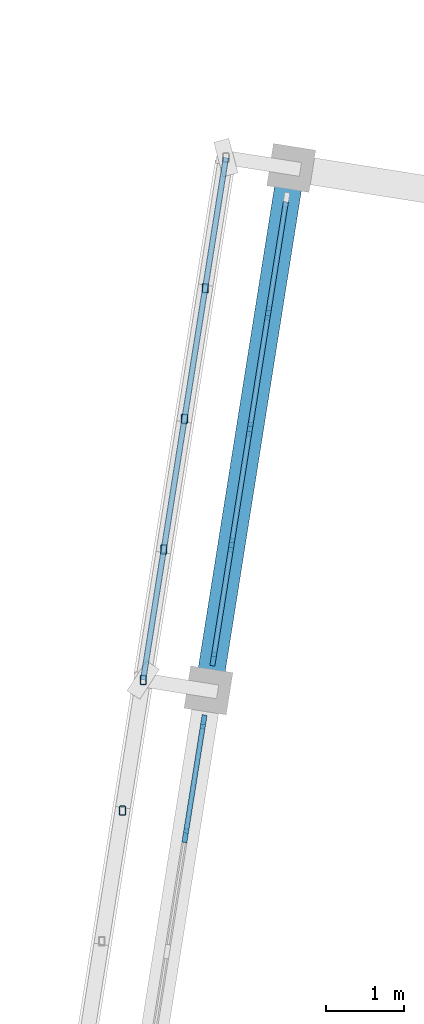
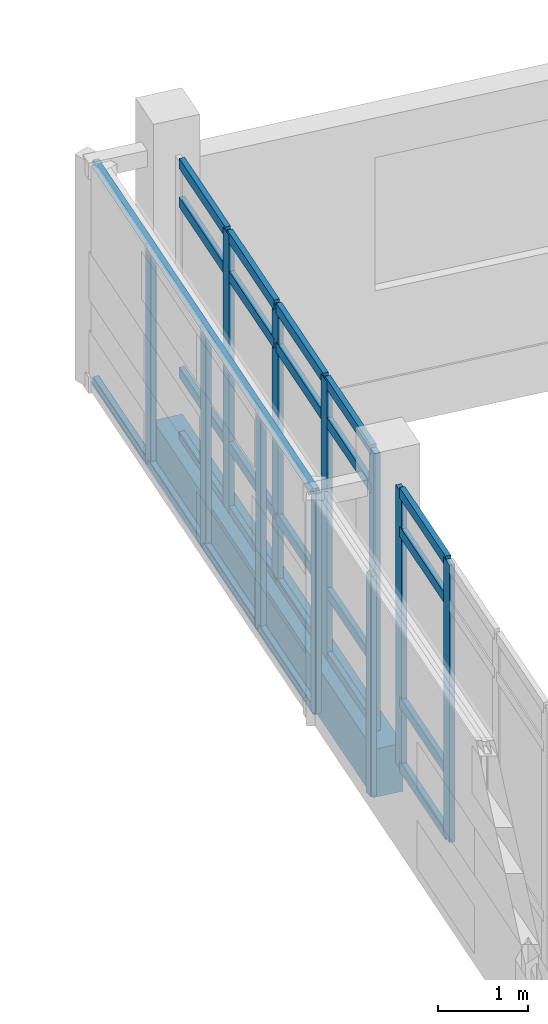
# One storey, part 59 of 137: 33 members, 1 beam, 2 elements without a shape of their own.
"""IFC4 building model written with IfcOpenShell, lengths in metres."""

from ifc_helpers import new_model, si_unit, direction, frame, origin, origin_2d, place, context, subcontext, project, spatial, rectangle, hollow_rectangle, extrude, material, material_profile, profile_set, type_object, element, aggregate, save


model = new_model("IFC4")

# Units and contexts
model_context = context("Model", 3, precision=1e-05, world=origin(), true_north=direction((0.0, 1.0)))
body_context = subcontext(model_context, "Body", "Model", "MODEL_VIEW")
ifc_project = project(units=[si_unit("LENGTHUNIT", "METRE"), si_unit("AREAUNIT", "SQUARE_METRE"), si_unit("VOLUMEUNIT", "CUBIC_METRE"), si_unit("PLANEANGLEUNIT", "RADIAN"), si_unit("MASSUNIT", "GRAM", prefix="KILO")], contexts=[model_context])

# Site, building, storey
site_placement = place(None, origin())
site = spatial("IfcSite", under=ifc_project, at=site_placement, CompositionType="ELEMENT")
building_placement = place(site_placement, origin())
building = spatial("IfcBuilding", under=site, at=building_placement, Name="Cinderway Yard Community Centre", CompositionType="ELEMENT")
storey_placement = place(building_placement, frame((0.0, 0.0, 4.800048828125)))
storey = spatial("IfcBuildingStorey", under=building, at=storey_placement, Name="L01", CompositionType="ELEMENT", Elevation=4.800048828125)

# Curtain wall, members
ifc_material_1 = material(Name="Aluminium 6063-T6", Category="aluminium")
curtain_wall_type = type_object("IfcCurtainWallType", Name="ENV-CW-TYPE-14", PredefinedType="USERDEFINED", material=ifc_material_1)
curtain_wall_1_placement = place(storey_placement, origin())
curtain_wall_1 = element("IfcCurtainWall", 1, at=curtain_wall_1_placement, inside=storey, type_object=curtain_wall_type, Name="Sports Hall Courtyard Curtain Wall ENV-CW-L01-HS-0055", ObjectType="GLAZED CURTAIN WALL", PredefinedType="USERDEFINED")
ifc_material_profile_1 = material_profile(ifc_material_1, rectangle(XDim=0.06494140625, YDim=0.179931640625, at=origin_2d()), Name="Aluminium 6063-T6")
ifc_profile_set_1 = profile_set([ifc_material_profile_1], Name="Aluminium 6063-T6")
member_type_1 = type_object("IfcMemberType", Name="ENV-CW-MULL-180", PredefinedType="MULLION", material=ifc_profile_set_1)
member_1_placement = place(storey_placement, frame((123.0234375, 69.714599609375, 0.0), z_axis=(0.0, 0.0, 1.0), x_axis=(-0.987660740525, 0.156608625643, 0.0)))
member_1 = element("IfcMember", 2, at=member_1_placement, type_object=member_type_1, Name="CW-14 mullion 4", PredefinedType="MULLION", context=body_context, shape_type="SweptSolid", body=[
    extrude(rectangle(XDim=0.06494140625, YDim=0.179931640625, at=origin_2d()), origin(), (0.0, 0.0, 1.0), 3.75),
])
member_2_placement = place(storey_placement, frame((123.25537109375, 71.17626953125, 0.0), z_axis=(0.0, 0.0, 1.0), x_axis=(-0.987660740525, 0.156608625643, 0.0)))
member_2 = element("IfcMember", 3, at=member_2_placement, type_object=member_type_1, Name="CW-14 mullion 5", PredefinedType="MULLION", context=body_context, shape_type="SweptSolid", body=[
    extrude(rectangle(XDim=0.06494140625, YDim=0.179931640625, at=origin_2d()), origin(), (0.0, 0.0, 1.0), 3.75),
])

curtain_wall_2_placement = place(storey_placement, origin())
curtain_wall_2 = element("IfcCurtainWall", 4, at=curtain_wall_2_placement, inside=storey, type_object=curtain_wall_type, Name="Sports Hall Courtyard Curtain Wall ENV-CW-L01-HS-0056", ObjectType="GLAZED CURTAIN WALL", PredefinedType="USERDEFINED")
member_3_placement = place(storey_placement, frame((123.3828125, 71.985595703125, 0.0), z_axis=(0.0, 0.0, 1.0), x_axis=(-0.987664799809, 0.156583023401, 0.0)))
member_3 = element("IfcMember", 5, at=member_3_placement, type_object=member_type_1, Name="CW-14 mullion 1", PredefinedType="MULLION", context=body_context, shape_type="SweptSolid", body=[
    extrude(rectangle(XDim=0.06494140625, YDim=0.179931640625, at=origin_2d()), origin(), (0.0, 0.0, 1.0), 3.75),
])
member_4_placement = place(storey_placement, frame((123.614501953125, 73.44775390625, 0.0), z_axis=(0.0, 0.0, 1.0), x_axis=(-0.987664799809, 0.156583023401, 0.0)))
member_4 = element("IfcMember", 6, at=member_4_placement, type_object=member_type_1, Name="CW-14 mullion 2", PredefinedType="MULLION", context=body_context, shape_type="SweptSolid", body=[
    extrude(rectangle(XDim=0.06494140625, YDim=0.179931640625, at=origin_2d()), origin(), (0.0, 0.0, 1.0), 3.75),
])
member_5_placement = place(storey_placement, frame((123.85107421875, 74.939453125, 0.0), z_axis=(0.0, 0.0, 1.0), x_axis=(-0.987664799809, 0.156583023401, 0.0)))
member_5 = element("IfcMember", 7, at=member_5_placement, type_object=member_type_1, Name="CW-14 mullion 3", PredefinedType="MULLION", context=body_context, shape_type="SweptSolid", body=[
    extrude(rectangle(XDim=0.06494140625, YDim=0.179931640625, at=origin_2d()), origin(), (0.0, 0.0, 1.0), 3.75),
])
member_6_placement = place(storey_placement, frame((124.08740234375, 76.43115234375, 0.0), z_axis=(0.0, 0.0, 1.0), x_axis=(-0.987664799809, 0.156583023401, 0.0)))
member_6 = element("IfcMember", 8, at=member_6_placement, type_object=member_type_1, Name="CW-14 mullion 4", PredefinedType="MULLION", context=body_context, shape_type="SweptSolid", body=[
    extrude(rectangle(XDim=0.06494140625, YDim=0.179931640625, at=origin_2d()), origin(), (0.0, 0.0, 1.0), 3.75),
])

# Member
ifc_material_profile_2 = material_profile(ifc_material_1, rectangle(XDim=0.06494140625, YDim=0.139892578125, at=origin_2d()), Name="Aluminium 6063-T6")
ifc_profile_set_2 = profile_set([ifc_material_profile_2], Name="Aluminium 6063-T6")
member_type_2 = type_object("IfcMemberType", Name="ENV-CW-TRAN-140", PredefinedType="USERDEFINED", material=ifc_profile_set_2)
member_7_placement = place(storey_placement, frame((123.0283203125, 69.744140625, 0.030029296875), z_axis=(0.156448115308, 0.987686178508, 0.0), x_axis=(-0.987686178508, 0.156448115308, 0.0)))
member_7 = element("IfcMember", 9, at=member_7_placement, type_object=member_type_2, Name="CW-14 transom 4.1", ObjectType="TRANSOM", PredefinedType="USERDEFINED", context=body_context, shape_type="SweptSolid", body=[
    extrude(rectangle(XDim=0.06494140625, YDim=0.139892578125, at=origin_2d()), origin(), (0.0, 0.0, 1.0), 1.420166015625),
])

member_8_placement = place(storey_placement, frame((123.0283203125, 69.744140625, 0.89990234375), z_axis=(0.156448115308, 0.987686178508, 0.0), x_axis=(-0.987686178508, 0.156448115308, 0.0)))
member_8 = element("IfcMember", 10, at=member_8_placement, type_object=member_type_2, Name="CW-14 transom 4.2", ObjectType="TRANSOM", PredefinedType="USERDEFINED", context=body_context, shape_type="SweptSolid", body=[
    extrude(rectangle(XDim=0.06494140625, YDim=0.139892578125, at=origin_2d()), origin(), (0.0, 0.0, 1.0), 1.420166015625),
])

member_9_placement = place(storey_placement, frame((123.0283203125, 69.744140625, 3.199951171875), z_axis=(0.156448115308, 0.987686178508, 0.0), x_axis=(-0.987686178508, 0.156448115308, 0.0)))
member_9 = element("IfcMember", 11, at=member_9_placement, type_object=member_type_2, Name="CW-14 transom 4.3", ObjectType="TRANSOM", PredefinedType="USERDEFINED", context=body_context, shape_type="SweptSolid", body=[
    extrude(rectangle(XDim=0.06494140625, YDim=0.139892578125, at=origin_2d()), origin(), (0.0, 0.0, 1.0), 1.420166015625),
])

member_10_placement = place(storey_placement, frame((123.0283203125, 69.744140625, 3.719970703125), z_axis=(0.156448115308, 0.987686178508, 0.0), x_axis=(-0.987686178508, 0.156448115308, 0.0)))
member_10 = element("IfcMember", 12, at=member_10_placement, type_object=member_type_2, Name="CW-14 transom 4.4", ObjectType="TRANSOM", PredefinedType="USERDEFINED", context=body_context, shape_type="SweptSolid", body=[
    extrude(rectangle(XDim=0.06494140625, YDim=0.139892578125, at=origin_2d()), origin(), (0.0, 0.0, 1.0), 1.420166015625),
])

aggregate(curtain_wall_1, [member_1, member_2, member_7, member_8, member_9, member_10])

member_11_placement = place(storey_placement, frame((123.387451171875, 72.015380859375, 0.030029296875), z_axis=(0.1565892335, 0.987663815249, 0.0), x_axis=(-0.987663815249, 0.1565892335, 0.0)))
member_11 = element("IfcMember", 13, at=member_11_placement, type_object=member_type_2, Name="CW-14 transom 1.1", ObjectType="TRANSOM", PredefinedType="USERDEFINED", context=body_context, shape_type="SweptSolid", body=[
    extrude(rectangle(XDim=0.06494140625, YDim=0.139892578125, at=origin_2d()), origin(), (0.0, 0.0, 1.0), 1.42041015625),
])

member_12_placement = place(storey_placement, frame((123.387451171875, 72.015380859375, 0.89990234375), z_axis=(0.1565892335, 0.987663815249, 0.0), x_axis=(-0.987663815249, 0.1565892335, 0.0)))
member_12 = element("IfcMember", 14, at=member_12_placement, type_object=member_type_2, Name="CW-14 transom 1.2", ObjectType="TRANSOM", PredefinedType="USERDEFINED", context=body_context, shape_type="SweptSolid", body=[
    extrude(rectangle(XDim=0.06494140625, YDim=0.139892578125, at=origin_2d()), origin(), (0.0, 0.0, 1.0), 1.42041015625),
])

member_13_placement = place(storey_placement, frame((123.387451171875, 72.015380859375, 3.199951171875), z_axis=(0.1565892335, 0.987663815249, 0.0), x_axis=(-0.987663815249, 0.1565892335, 0.0)))
member_13 = element("IfcMember", 15, at=member_13_placement, type_object=member_type_2, Name="CW-14 transom 1.3", ObjectType="TRANSOM", PredefinedType="USERDEFINED", context=body_context, shape_type="SweptSolid", body=[
    extrude(rectangle(XDim=0.06494140625, YDim=0.139892578125, at=origin_2d()), origin(), (0.0, 0.0, 1.0), 1.42041015625),
])

member_14_placement = place(storey_placement, frame((123.387451171875, 72.015380859375, 3.719970703125), z_axis=(0.1565892335, 0.987663815249, 0.0), x_axis=(-0.987663815249, 0.1565892335, 0.0)))
member_14 = element("IfcMember", 16, at=member_14_placement, type_object=member_type_2, Name="CW-14 transom 1.4", ObjectType="TRANSOM", PredefinedType="USERDEFINED", context=body_context, shape_type="SweptSolid", body=[
    extrude(rectangle(XDim=0.06494140625, YDim=0.139892578125, at=origin_2d()), origin(), (0.0, 0.0, 1.0), 1.42041015625),
])

member_15_placement = place(storey_placement, frame((123.619140625, 73.477294921875, 0.030029296875), z_axis=(0.156532999021, 0.987672729307, 0.0), x_axis=(-0.987672729307, 0.156532999021, 0.0)))
member_15 = element("IfcMember", 17, at=member_15_placement, type_object=member_type_2, Name="CW-14 transom 2.1", ObjectType="TRANSOM", PredefinedType="USERDEFINED", context=body_context, shape_type="SweptSolid", body=[
    extrude(rectangle(XDim=0.06494140625, YDim=0.139892578125, at=origin_2d()), origin(), (0.0, 0.0, 1.0), 1.450439453125),
])

member_16_placement = place(storey_placement, frame((123.619140625, 73.477294921875, 0.89990234375), z_axis=(0.156532999021, 0.987672729307, 0.0), x_axis=(-0.987672729307, 0.156532999021, 0.0)))
member_16 = element("IfcMember", 18, at=member_16_placement, type_object=member_type_2, Name="CW-14 transom 2.2", ObjectType="TRANSOM", PredefinedType="USERDEFINED", context=body_context, shape_type="SweptSolid", body=[
    extrude(rectangle(XDim=0.06494140625, YDim=0.139892578125, at=origin_2d()), origin(), (0.0, 0.0, 1.0), 1.450439453125),
])

member_17_placement = place(storey_placement, frame((123.619140625, 73.477294921875, 3.199951171875), z_axis=(0.156532999021, 0.987672729307, 0.0), x_axis=(-0.987672729307, 0.156532999021, 0.0)))
member_17 = element("IfcMember", 19, at=member_17_placement, type_object=member_type_2, Name="CW-14 transom 2.3", ObjectType="TRANSOM", PredefinedType="USERDEFINED", context=body_context, shape_type="SweptSolid", body=[
    extrude(rectangle(XDim=0.06494140625, YDim=0.139892578125, at=origin_2d()), origin(), (0.0, 0.0, 1.0), 1.450439453125),
])

member_18_placement = place(storey_placement, frame((123.619140625, 73.477294921875, 3.719970703125), z_axis=(0.156532999021, 0.987672729307, 0.0), x_axis=(-0.987672729307, 0.156532999021, 0.0)))
member_18 = element("IfcMember", 20, at=member_18_placement, type_object=member_type_2, Name="CW-14 transom 2.4", ObjectType="TRANSOM", PredefinedType="USERDEFINED", context=body_context, shape_type="SweptSolid", body=[
    extrude(rectangle(XDim=0.06494140625, YDim=0.139892578125, at=origin_2d()), origin(), (0.0, 0.0, 1.0), 1.450439453125),
])

member_19_placement = place(storey_placement, frame((123.855712890625, 74.96923828125, 0.030029296875), z_axis=(0.156559025368, 0.987668604126, 0.0), x_axis=(-0.987668604126, 0.156559025368, 0.0)))
member_19 = element("IfcMember", 21, at=member_19_placement, type_object=member_type_2, Name="CW-14 transom 3.1", ObjectType="TRANSOM", PredefinedType="USERDEFINED", context=body_context, shape_type="SweptSolid", body=[
    extrude(rectangle(XDim=0.06494140625, YDim=0.139892578125, at=origin_2d()), origin(), (0.0, 0.0, 1.0), 1.4501953125),
])

member_20_placement = place(storey_placement, frame((123.855712890625, 74.96923828125, 0.89990234375), z_axis=(0.156559025368, 0.987668604126, 0.0), x_axis=(-0.987668604126, 0.156559025368, 0.0)))
member_20 = element("IfcMember", 22, at=member_20_placement, type_object=member_type_2, Name="CW-14 transom 3.2", ObjectType="TRANSOM", PredefinedType="USERDEFINED", context=body_context, shape_type="SweptSolid", body=[
    extrude(rectangle(XDim=0.06494140625, YDim=0.139892578125, at=origin_2d()), origin(), (0.0, 0.0, 1.0), 1.4501953125),
])

member_21_placement = place(storey_placement, frame((123.855712890625, 74.96923828125, 3.199951171875), z_axis=(0.156559025368, 0.987668604126, 0.0), x_axis=(-0.987668604126, 0.156559025368, 0.0)))
member_21 = element("IfcMember", 23, at=member_21_placement, type_object=member_type_2, Name="CW-14 transom 3.3", ObjectType="TRANSOM", PredefinedType="USERDEFINED", context=body_context, shape_type="SweptSolid", body=[
    extrude(rectangle(XDim=0.06494140625, YDim=0.139892578125, at=origin_2d()), origin(), (0.0, 0.0, 1.0), 1.4501953125),
])

member_22_placement = place(storey_placement, frame((123.855712890625, 74.96923828125, 3.719970703125), z_axis=(0.156559025368, 0.987668604126, 0.0), x_axis=(-0.987668604126, 0.156559025368, 0.0)))
member_22 = element("IfcMember", 24, at=member_22_placement, type_object=member_type_2, Name="CW-14 transom 3.4", ObjectType="TRANSOM", PredefinedType="USERDEFINED", context=body_context, shape_type="SweptSolid", body=[
    extrude(rectangle(XDim=0.06494140625, YDim=0.139892578125, at=origin_2d()), origin(), (0.0, 0.0, 1.0), 1.4501953125),
])

member_23_placement = place(storey_placement, frame((124.09228515625, 76.4609375, 0.030029296875), z_axis=(0.1565892335, 0.987663815249, 0.0), x_axis=(-0.987663815249, 0.1565892335, 0.0)))
member_23 = element("IfcMember", 25, at=member_23_placement, type_object=member_type_2, Name="CW-14 transom 4.1", ObjectType="TRANSOM", PredefinedType="USERDEFINED", context=body_context, shape_type="SweptSolid", body=[
    extrude(rectangle(XDim=0.06494140625, YDim=0.139892578125, at=origin_2d()), origin(), (0.0, 0.0, 1.0), 1.42041015625),
])

member_24_placement = place(storey_placement, frame((124.09228515625, 76.4609375, 0.89990234375), z_axis=(0.1565892335, 0.987663815249, 0.0), x_axis=(-0.987663815249, 0.1565892335, 0.0)))
member_24 = element("IfcMember", 26, at=member_24_placement, type_object=member_type_2, Name="CW-14 transom 4.2", ObjectType="TRANSOM", PredefinedType="USERDEFINED", context=body_context, shape_type="SweptSolid", body=[
    extrude(rectangle(XDim=0.06494140625, YDim=0.139892578125, at=origin_2d()), origin(), (0.0, 0.0, 1.0), 1.42041015625),
])

member_25_placement = place(storey_placement, frame((124.09228515625, 76.4609375, 3.199951171875), z_axis=(0.1565892335, 0.987663815249, 0.0), x_axis=(-0.987663815249, 0.1565892335, 0.0)))
member_25 = element("IfcMember", 27, at=member_25_placement, type_object=member_type_2, Name="CW-14 transom 4.3", ObjectType="TRANSOM", PredefinedType="USERDEFINED", context=body_context, shape_type="SweptSolid", body=[
    extrude(rectangle(XDim=0.06494140625, YDim=0.139892578125, at=origin_2d()), origin(), (0.0, 0.0, 1.0), 1.42041015625),
])

member_26_placement = place(storey_placement, frame((124.09228515625, 76.4609375, 3.719970703125), z_axis=(0.1565892335, 0.987663815249, 0.0), x_axis=(-0.987663815249, 0.1565892335, 0.0)))
member_26 = element("IfcMember", 28, at=member_26_placement, type_object=member_type_2, Name="CW-14 transom 4.4", ObjectType="TRANSOM", PredefinedType="USERDEFINED", context=body_context, shape_type="SweptSolid", body=[
    extrude(rectangle(XDim=0.06494140625, YDim=0.139892578125, at=origin_2d()), origin(), (0.0, 0.0, 1.0), 1.42041015625),
])

aggregate(curtain_wall_2, [member_3, member_4, member_5, member_6, member_11, member_12, member_13, member_14, member_15, member_16, member_17, member_18, member_19, member_20, member_21, member_22, member_23, member_24, member_25, member_26])

# Members
ifc_material_2 = material(Name="Steel S355", Category="steel")
ifc_material_profile_3 = material_profile(ifc_material_2, hollow_rectangle(XDim=0.080078125, YDim=0.1201171875, WallThickness=0.00634765625, InnerFilletRadius=0.00634765625, OuterFilletRadius=0.0126953125, at=origin_2d()), Name="Steel S355")
ifc_profile_set_3 = profile_set([ifc_material_profile_3], Name="Steel S355")
member_type_3 = type_object("IfcMemberType", Name="ENV-MEM-SCREEN-RAIL-120", PredefinedType="STRINGER", material=ifc_profile_set_3)
for number, where, z_axis, x_axis, name in (
    (29, (122.212890625, 70.034912109375, 0.68994140625), (0.0, 0.0, 1.0), (1.0, 0.0, 0.0), "Screen vertical mullion 1001"),
    (30, (122.47900390625, 71.714111328125, 0.68994140625), (0.0, 0.0, 1.0), (1.0, 0.0, 0.0), "Screen vertical mullion 1002"),
):
    element("IfcMember", number, at=place(storey_placement, frame(where, z_axis=z_axis, x_axis=x_axis)), inside=storey, type_object=member_type_3, Name=name, PredefinedType="STRINGER", context=body_context, shape_type="SweptSolid", body=[
        extrude(hollow_rectangle(XDim=0.080078125, YDim=0.1201171875, WallThickness=0.00634765625, InnerFilletRadius=0.00634765625, OuterFilletRadius=0.0126953125, at=origin_2d()), origin(), (0.0, 0.0, 1.0), 2.969970703125),
    ])
for number, where, z_axis, x_axis, name in (
    (31, (122.47900390625, 71.714111328125, 0.7099609375), (0.15645293114, 0.987685415675, 0.0), (-0.987685415675, 0.15645293114, 0.0), "Screen support rail 1004-BOT"),
    (32, (122.47900390625, 71.714111328125, 3.639892578125), (0.15645293114, 0.987685415675, 0.0), (-0.987685415675, 0.15645293114, 0.0), "Screen support rail 1005-TOP"),
):
    element("IfcMember", number, at=place(storey_placement, frame(where, z_axis=z_axis, x_axis=x_axis)), inside=storey, type_object=member_type_3, Name=name, PredefinedType="STRINGER", context=body_context, shape_type="SweptSolid", body=[
        extrude(hollow_rectangle(XDim=0.080078125, YDim=0.1201171875, WallThickness=0.00634765625, InnerFilletRadius=0.00634765625, OuterFilletRadius=0.0126953125, at=origin_2d()), origin(), (0.0, 0.0, 1.0), 6.800537109375),
    ])
for number, where, z_axis, x_axis, name in (
    (33, (122.7451171875, 73.39306640625, 0.68994140625), (0.0, 0.0, 1.0), (1.0, 0.0, 0.0), "Screen vertical mullion 1006"),
    (34, (123.010986328125, 75.072021484375, 0.68994140625), (0.0, 0.0, 1.0), (1.0, 0.0, 0.0), "Screen vertical mullion 1007"),
    (35, (123.277099609375, 76.751953125, 0.68994140625), (0.0, 0.0, 1.0), (1.0, 0.0, 0.0), "Screen vertical mullion 1008"),
):
    element("IfcMember", number, at=place(storey_placement, frame(where, z_axis=z_axis, x_axis=x_axis)), inside=storey, type_object=member_type_3, Name=name, PredefinedType="STRINGER", context=body_context, shape_type="SweptSolid", body=[
        extrude(hollow_rectangle(XDim=0.080078125, YDim=0.1201171875, WallThickness=0.00634765625, InnerFilletRadius=0.00634765625, OuterFilletRadius=0.0126953125, at=origin_2d()), origin(), (0.0, 0.0, 1.0), 2.969970703125),
    ])

# Beam
ifc_material_3 = material(Name="Concrete C35/45", Category="concrete")
ifc_material_profile_4 = material_profile(ifc_material_3, rectangle(XDim=0.35009765625, YDim=0.64990234375, at=origin_2d()), Name="Concrete C35/45")
ifc_profile_set_4 = profile_set([ifc_material_profile_4], Name="Concrete C35/45")
beam_type = type_object("IfcBeamType", Name="STR-BM-RC350X650", PredefinedType="BEAM", material=ifc_profile_set_4)
beam_placement = place(storey_placement, frame((123.319091796875, 71.5810546875, -0.324951171875), z_axis=(0.156447383815, 0.987686294376, 0.0), x_axis=(-0.987686294376, 0.156447383815, 0.0)))
element("IfcBeam", 36, at=beam_placement, inside=storey, type_object=beam_type, Name="Sports Hall west ring beam STR-BM-L01-BG08-0103", PredefinedType="BEAM", context=body_context, shape_type="SweptSolid", body=[
    extrude(rectangle(XDim=0.35009765625, YDim=0.64990234375, at=origin_2d()), origin(), (0.0, 0.0, 1.0), 6.80078125),
])

save(model, "model.ifc")
